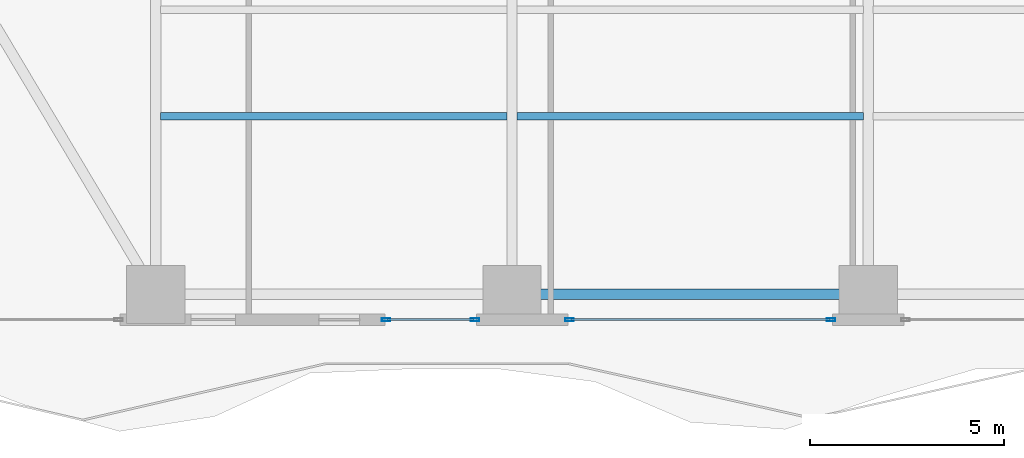
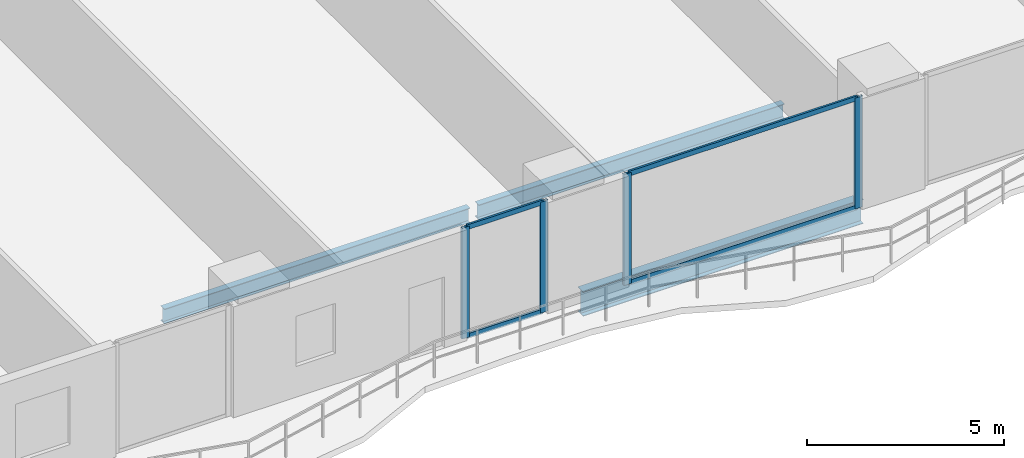
# One storey, part 4 of 28: 8 members, 3 beams, 2 elements without a shape of their own.
"""IFC4 building model written with IfcOpenShell, lengths in metres."""

from ifc_helpers import new_model, si_unit, direction, frame, origin, origin_2d, place, context, subcontext, project, spatial, hollow_rectangle, i_section, extrude, material, layer, layer_set, material_profile, profile_set, type_object, element, aggregate, save


model = new_model("IFC4")

# Units and contexts
model_context = context("Model", 3, precision=1e-05, world=origin(), true_north=direction((0.0, 1.0)))
body_context = subcontext(model_context, "Body", "Model", "MODEL_VIEW")
ifc_project = project(units=[si_unit("LENGTHUNIT", "METRE"), si_unit("AREAUNIT", "SQUARE_METRE"), si_unit("VOLUMEUNIT", "CUBIC_METRE"), si_unit("PLANEANGLEUNIT", "RADIAN"), si_unit("MASSUNIT", "GRAM", prefix="KILO")], contexts=[model_context])

# Site, building, storey
site_placement = place(None, origin())
site = spatial("IfcSite", under=ifc_project, at=site_placement, CompositionType="ELEMENT")
building_placement = place(site_placement, origin())
building = spatial("IfcBuilding", under=site, at=building_placement, Name="Zuhayl Quay Hotel", CompositionType="ELEMENT")
storey_placement = place(building_placement, frame((0.0, 0.0, 56.800048828125)))
storey = spatial("IfcBuildingStorey", under=building, at=storey_placement, Name="L13", CompositionType="ELEMENT", Elevation=56.800048828125)

# Beams
ifc_material_1 = material(Name="Steel ASTM A992 Grade 50", Category="steel")
ifc_material_profile_1 = material_profile(ifc_material_1, i_section(OverallWidth=0.26708984375, OverallDepth=0.761962890625, WebThickness=0.014404296875, FlangeThickness=0.021484375, at=origin_2d()), Name="W30X116")
ifc_profile_set_1 = profile_set([ifc_material_profile_1], Name="Steel ASTM A992 Grade 50")
beam_type_1 = type_object("IfcBeamType", Name="BM_B1_W30X116", PredefinedType="BEAM", material=ifc_profile_set_1)
beam_1_placement = place(storey_placement, frame((-4.10009765625, -22.449951171875, -0.60107421875), z_axis=(1.0, 0.0, 0.0), x_axis=(0.0, 1.0, 0.0)))
element("IfcBeam", 1, at=beam_1_placement, inside=storey, type_object=beam_type_1, Name="L13 Floor Beam RG_L13_02", PredefinedType="BEAM", context=body_context, shape_type="SweptSolid", body=[
    extrude(i_section(OverallWidth=0.26708984375, OverallDepth=0.761962890625, WebThickness=0.014404296875, FlangeThickness=0.021484375, at=origin_2d()), origin(), (0.0, 0.0, 1.0), 8.2001953125),
])
ifc_material_profile_2 = material_profile(ifc_material_1, i_section(OverallWidth=0.18994140625, OverallDepth=0.45703125, WebThickness=0.009033203125, FlangeThickness=0.014404296875, at=origin_2d()), Name="W18X50")
ifc_profile_set_2 = profile_set([ifc_material_profile_2], Name="Steel ASTM A992 Grade 50")
beam_type_2 = type_object("IfcBeamType", Name="BM_J2_W18X50", PredefinedType="JOIST", material=ifc_profile_set_2)
beam_2_placement = place(storey_placement, frame((-13.674560546875, -17.85009765625, -0.448486328125), z_axis=(1.0, 0.0, 0.0), x_axis=(0.0, 1.0, 0.0)))
element("IfcBeam", 2, at=beam_2_placement, inside=storey, type_object=beam_type_2, Name="L13 Floor Beam FJ_L13_3_1", PredefinedType="JOIST", context=body_context, shape_type="SweptSolid", body=[
    extrude(i_section(OverallWidth=0.18994140625, OverallDepth=0.45703125, WebThickness=0.009033203125, FlangeThickness=0.014404296875, at=origin_2d()), origin(), (0.0, 0.0, 1.0), 8.948974609375),
])
beam_3_placement = place(storey_placement, frame((-4.474609375, -17.85009765625, -0.448486328125), z_axis=(1.0, 0.0, 0.0), x_axis=(0.0, 1.0, 0.0)))
element("IfcBeam", 3, at=beam_3_placement, inside=storey, type_object=beam_type_2, Name="L13 Floor Beam FJ_L13_3_2", PredefinedType="JOIST", context=body_context, shape_type="SweptSolid", body=[
    extrude(i_section(OverallWidth=0.18994140625, OverallDepth=0.45703125, WebThickness=0.009033203125, FlangeThickness=0.014404296875, at=origin_2d()), origin(), (0.0, 0.0, 1.0), 8.94921875),
])

# Curtain wall, members
ifc_material_2 = material(Name="Anodised Aluminium 6063-T6", Category="aluminium")
ifc_layer = layer(ifc_material_2, 0.18994140625, Name="Anodised Aluminium 6063-T6", Category="aluminium")
ifc_layer_set = layer_set([ifc_layer], Name="Anodised Aluminium 6063-T6")
curtain_wall_type = type_object("IfcCurtainWallType", Name="CW_SYS_Z1", PredefinedType="USERDEFINED", material=ifc_layer_set)
curtain_wall_1_placement = place(storey_placement, origin())
curtain_wall_1 = element("IfcCurtainWall", 4, at=curtain_wall_1_placement, inside=storey, type_object=curtain_wall_type, Name="L13 Curtain Wall ENV_L13_S_CW3", ObjectType="UNITISED CURTAIN WALL", PredefinedType="USERDEFINED")
ifc_material_3 = material(Name="Black-anodised aluminium 6063-T6", Category="aluminium")
ifc_material_profile_3 = material_profile(ifc_material_3, hollow_rectangle(XDim=0.074951171875, YDim=0.219970703125, WallThickness=0.00390625, at=origin_2d()), Name="ALU220X75")
ifc_profile_set_3 = profile_set([ifc_material_profile_3], Name="Black-anodised aluminium 6063-T6")
member_type_1 = type_object("IfcMemberType", Name="MB_CW_MUL_220", PredefinedType="MULLION", material=ifc_profile_set_3)
member_1_placement = place(storey_placement, frame((3.642578125, -23.10009765625, 0.0), z_axis=(0.0, 0.0, 1.0), x_axis=(0.0, -1.0, 0.0)))
member_1 = element("IfcMember", 5, at=member_1_placement, type_object=member_type_1, Name="CW-Z1 mullion 1", PredefinedType="MULLION", context=body_context, shape_type="SweptSolid", body=[
    extrude(hollow_rectangle(XDim=0.074951171875, YDim=0.219970703125, WallThickness=0.00390625, at=origin_2d()), origin(), (0.0, 0.0, 1.0), 3.429931640625),
])
member_2_placement = place(storey_placement, frame((-3.112548828125, -23.10009765625, 0.0), z_axis=(0.0, 0.0, 1.0), x_axis=(0.0, -1.0, 0.0)))
member_2 = element("IfcMember", 6, at=member_2_placement, type_object=member_type_1, Name="CW-Z1 mullion 2", PredefinedType="MULLION", context=body_context, shape_type="SweptSolid", body=[
    extrude(hollow_rectangle(XDim=0.074951171875, YDim=0.219970703125, WallThickness=0.00390625, at=origin_2d()), origin(), (0.0, 0.0, 1.0), 3.429931640625),
])

curtain_wall_2_placement = place(storey_placement, origin())
curtain_wall_2 = element("IfcCurtainWall", 7, at=curtain_wall_2_placement, inside=storey, type_object=curtain_wall_type, Name="L13 Curtain Wall ENV_L13_S_CW4", ObjectType="UNITISED CURTAIN WALL", PredefinedType="USERDEFINED")
member_3_placement = place(storey_placement, frame((-5.5576171875, -23.10009765625, 0.0), z_axis=(0.0, 0.0, 1.0), x_axis=(0.0, -1.0, 0.0)))
member_3 = element("IfcMember", 8, at=member_3_placement, type_object=member_type_1, Name="CW-Z1 mullion 1", PredefinedType="MULLION", context=body_context, shape_type="SweptSolid", body=[
    extrude(hollow_rectangle(XDim=0.074951171875, YDim=0.219970703125, WallThickness=0.00390625, at=origin_2d()), origin(), (0.0, 0.0, 1.0), 3.429931640625),
])
member_4_placement = place(storey_placement, frame((-7.847412109375, -23.10009765625, 0.0), z_axis=(0.0, 0.0, 1.0), x_axis=(0.0, -1.0, 0.0)))
member_4 = element("IfcMember", 9, at=member_4_placement, type_object=member_type_1, Name="CW-Z1 mullion 2", PredefinedType="MULLION", context=body_context, shape_type="SweptSolid", body=[
    extrude(hollow_rectangle(XDim=0.074951171875, YDim=0.219970703125, WallThickness=0.00390625, at=origin_2d()), origin(), (0.0, 0.0, 1.0), 3.429931640625),
])

# Member
ifc_material_profile_4 = material_profile(ifc_material_3, hollow_rectangle(XDim=0.06005859375, YDim=0.14990234375, WallThickness=0.00341796875, at=origin_2d()), Name="ALU150X60")
ifc_profile_set_4 = profile_set([ifc_material_profile_4], Name="Black-anodised aluminium 6063-T6")
member_type_2 = type_object("IfcMemberType", Name="MB_CW_TRN_150", PredefinedType="USERDEFINED", material=ifc_profile_set_4)
member_5_placement = place(storey_placement, frame((3.60498046875, -23.10009765625, 0.030029296875), z_axis=(-1.0, 0.0, 0.0), x_axis=(0.0, -1.0, 0.0)))
member_5 = element("IfcMember", 10, at=member_5_placement, type_object=member_type_2, Name="CW-Z1 transom 1.1", ObjectType="TRANSOM", PredefinedType="USERDEFINED", context=body_context, shape_type="SweptSolid", body=[
    extrude(hollow_rectangle(XDim=0.06005859375, YDim=0.14990234375, WallThickness=0.00341796875, at=origin_2d()), origin(), (0.0, 0.0, 1.0), 6.679931640625),
])

member_6_placement = place(storey_placement, frame((3.60498046875, -23.10009765625, 3.39990234375), z_axis=(-1.0, 0.0, 0.0), x_axis=(0.0, -1.0, 0.0)))
member_6 = element("IfcMember", 11, at=member_6_placement, type_object=member_type_2, Name="CW-Z1 transom 1.2", ObjectType="TRANSOM", PredefinedType="USERDEFINED", context=body_context, shape_type="SweptSolid", body=[
    extrude(hollow_rectangle(XDim=0.06005859375, YDim=0.14990234375, WallThickness=0.00341796875, at=origin_2d()), origin(), (0.0, 0.0, 1.0), 6.679931640625),
])

aggregate(curtain_wall_1, [member_1, member_2, member_5, member_6])

member_7_placement = place(storey_placement, frame((-5.594970703125, -23.10009765625, 0.030029296875), z_axis=(-1.0, 0.0, 0.0), x_axis=(0.0, -1.0, 0.0)))
member_7 = element("IfcMember", 12, at=member_7_placement, type_object=member_type_2, Name="CW-Z1 transom 1.1", ObjectType="TRANSOM", PredefinedType="USERDEFINED", context=body_context, shape_type="SweptSolid", body=[
    extrude(hollow_rectangle(XDim=0.06005859375, YDim=0.14990234375, WallThickness=0.00341796875, at=origin_2d()), origin(), (0.0, 0.0, 1.0), 2.215087890625),
])

member_8_placement = place(storey_placement, frame((-5.594970703125, -23.10009765625, 3.39990234375), z_axis=(-1.0, 0.0, 0.0), x_axis=(0.0, -1.0, 0.0)))
member_8 = element("IfcMember", 13, at=member_8_placement, type_object=member_type_2, Name="CW-Z1 transom 1.2", ObjectType="TRANSOM", PredefinedType="USERDEFINED", context=body_context, shape_type="SweptSolid", body=[
    extrude(hollow_rectangle(XDim=0.06005859375, YDim=0.14990234375, WallThickness=0.00341796875, at=origin_2d()), origin(), (0.0, 0.0, 1.0), 2.215087890625),
])

aggregate(curtain_wall_2, [member_3, member_4, member_7, member_8])

save(model, "model.ifc")
